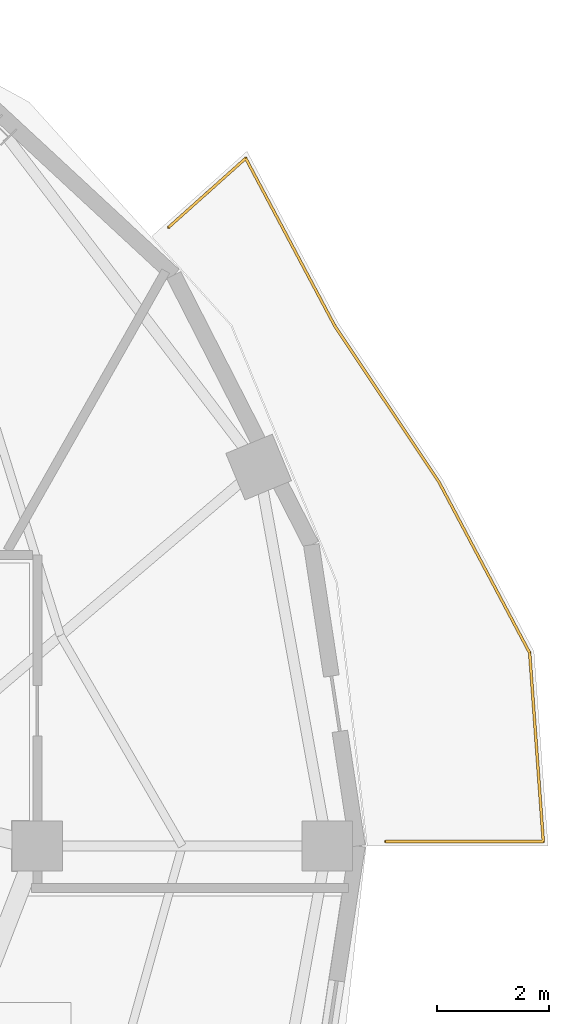
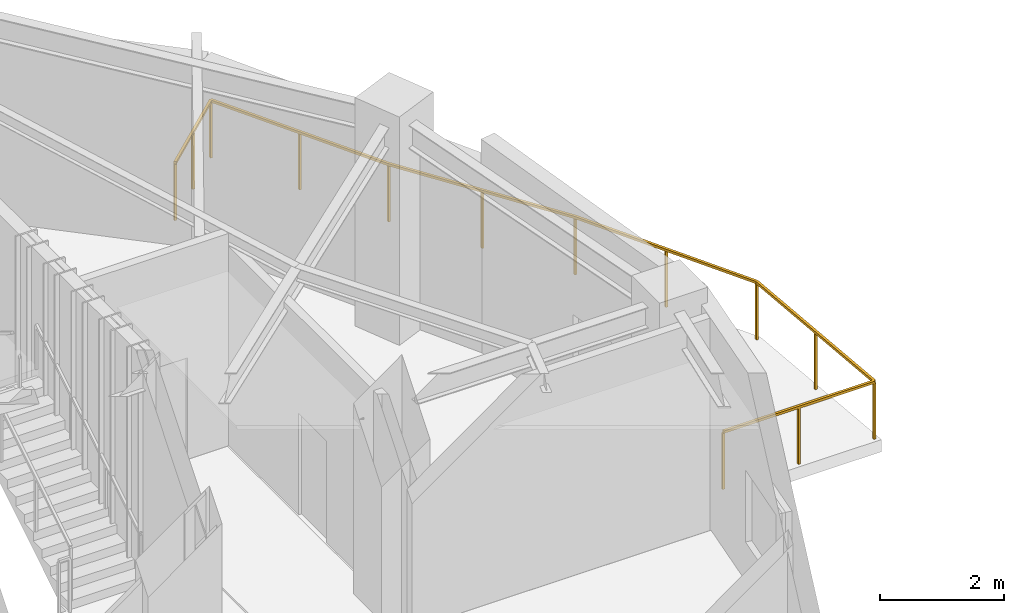
# One storey, part 9 of 9: 1 railing.
"""IFC4 building model written with IfcOpenShell, lengths in metres."""

from ifc_helpers import new_model, si_unit, direction, frame, origin, origin_2d, place, context, subcontext, project, spatial, rectangle, extrude, material, type_object, element, save


model = new_model("IFC4")

# Units and contexts
model_context = context("Model", 3, precision=1e-05, world=origin(), true_north=direction((0.0, 1.0)))
body_context = subcontext(model_context, "Body", "Model", "MODEL_VIEW")
ifc_project = project(units=[si_unit("LENGTHUNIT", "METRE"), si_unit("AREAUNIT", "SQUARE_METRE"), si_unit("VOLUMEUNIT", "CUBIC_METRE"), si_unit("PLANEANGLEUNIT", "RADIAN"), si_unit("MASSUNIT", "GRAM", prefix="KILO")], contexts=[model_context])

# Site, building, storey
site_placement = place(None, origin())
site = spatial("IfcSite", under=ifc_project, at=site_placement, CompositionType="ELEMENT")
building_placement = place(site_placement, origin())
building = spatial("IfcBuilding", under=site, at=building_placement, Name="Haldorwick Loom Tower", CompositionType="ELEMENT")
storey_placement = place(building_placement, frame((0.0, 0.0, 282.0)))
storey = spatial("IfcBuildingStorey", under=building, at=storey_placement, Name="L76", CompositionType="ELEMENT", Elevation=282.0)

# Railing
ifc_material = material(Name="Galvanized Steel CSA G40.21 350W", Category="steel")
railing_type = type_object("IfcRailingType", Name="ARC-RLG-BAL115", PredefinedType="BALUSTRADE", material=ifc_material)
railing_placement = place(storey_placement, frame((55.546875, 37.0595703125, 0.0)))
element("IfcRailing", 1, at=railing_placement, inside=storey, type_object=railing_type, Name="L76 Outdoor Terrace Guardrail SLB-L76-BAL_ENE-1", PredefinedType="BALUSTRADE", context=body_context, shape_type="SweptSolid", body=[
    extrude(rectangle(XDim=0.048095703125, YDim=0.048095703125, at=origin_2d()), frame((0.0, 0.0, 1.1259765625), z_axis=(0.745417389575, 0.666598016288, 0.0), x_axis=(-0.666598016288, 0.745417389575, 0.0)), (0.0, 0.0, 1.0), 1.84912109375),
    extrude(rectangle(XDim=0.048095703125, YDim=0.048095703125, at=origin_2d()), frame((1.37841796875, 1.232666015625, 1.1259765625), z_axis=(0.469197343741, -0.883093343099, 0.0), x_axis=(0.883093343099, 0.469197343741, 0.0)), (0.0, 0.0, 1.0), 3.390625),
    extrude(rectangle(XDim=0.048095703125, YDim=0.048095703125, at=origin_2d()), frame((2.96923828125, -1.761474609375, 1.1259765625), z_axis=(0.518978134242, -0.854787515222, 0.0), x_axis=(0.854787515222, 0.518978134242, 0.0)), (0.0, 0.0, 1.0), 0.008056640625),
    extrude(rectangle(XDim=0.048095703125, YDim=0.048095703125, at=origin_2d()), frame((2.973388671875, -1.768310546875, 1.1259765625), z_axis=(0.555170999854, -0.831736232781, 0.0), x_axis=(0.831736232781, 0.555170999854, 0.0)), (0.0, 0.0, 1.0), 3.35009765625),
    extrude(rectangle(XDim=0.048095703125, YDim=0.048095703125, at=origin_2d()), frame((4.833251953125, -4.5546875, 1.1259765625), z_axis=(0.468890126395, -0.883256502591, 0.0), x_axis=(0.883256502591, 0.468890126395, 0.0)), (0.0, 0.0, 1.0), 3.456787109375),
    extrude(rectangle(XDim=0.048095703125, YDim=0.048095703125, at=origin_2d()), frame((6.4541015625, -7.60791015625, 1.1259765625), z_axis=(0.072150352882, -0.997393767064, 0.0), x_axis=(0.997393767064, 0.072150352882, 0.0)), (0.0, 0.0, 1.0), 3.38037109375),
    extrude(rectangle(XDim=0.048095703125, YDim=0.048095703125, at=origin_2d()), frame((6.697998046875, -10.9794921875, 1.1259765625), z_axis=(-1.0, 0.0, 0.0), x_axis=(0.0, -1.0, 0.0)), (0.0, 0.0, 1.0), 2.82080078125),
    extrude(rectangle(XDim=0.0419921875, YDim=0.0419921875, at=origin_2d()), origin(), (0.0, 0.0, 1.0), 1.101806640625),
    extrude(rectangle(XDim=0.0419921875, YDim=0.0419921875, at=origin_2d()), frame((0.689208984375, 0.6162109375, 0.0)), (0.0, 0.0, 1.0), 1.101806640625),
    extrude(rectangle(XDim=0.0419921875, YDim=0.0419921875, at=origin_2d()), frame((1.37841796875, 1.232666015625, 0.0)), (0.0, 0.0, 1.0), 1.101806640625),
    extrude(rectangle(XDim=0.0419921875, YDim=0.0419921875, at=origin_2d()), frame((2.173828125, -0.264404296875, 0.0)), (0.0, 0.0, 1.0), 1.101806640625),
    extrude(rectangle(XDim=0.0419921875, YDim=0.0419921875, at=origin_2d()), frame((2.96923828125, -1.761474609375, 0.0)), (0.0, 0.0, 1.0), 1.101806640625),
    extrude(rectangle(XDim=0.0419921875, YDim=0.0419921875, at=origin_2d()), frame((3.9033203125, -3.16162109375, 0.0)), (0.0, 0.0, 1.0), 1.101806640625),
    extrude(rectangle(XDim=0.0419921875, YDim=0.0419921875, at=origin_2d()), frame((4.833251953125, -4.5546875, 0.0)), (0.0, 0.0, 1.0), 1.101806640625),
    extrude(rectangle(XDim=0.0419921875, YDim=0.0419921875, at=origin_2d()), frame((5.6435546875, -6.081298828125, 0.0)), (0.0, 0.0, 1.0), 1.101806640625),
    extrude(rectangle(XDim=0.0419921875, YDim=0.0419921875, at=origin_2d()), frame((6.4541015625, -7.60791015625, 0.0)), (0.0, 0.0, 1.0), 1.101806640625),
    extrude(rectangle(XDim=0.0419921875, YDim=0.0419921875, at=origin_2d()), frame((6.576171875, -9.293701171875, 0.0)), (0.0, 0.0, 1.0), 1.101806640625),
    extrude(rectangle(XDim=0.0419921875, YDim=0.0419921875, at=origin_2d()), frame((6.697998046875, -10.9794921875, 0.0)), (0.0, 0.0, 1.0), 1.101806640625),
    extrude(rectangle(XDim=0.0419921875, YDim=0.0419921875, at=origin_2d()), frame((5.28759765625, -10.9794921875, 0.0)), (0.0, 0.0, 1.0), 1.101806640625),
    extrude(rectangle(XDim=0.0419921875, YDim=0.0419921875, at=origin_2d()), frame((3.877197265625, -10.9794921875, 0.0)), (0.0, 0.0, 1.0), 1.101806640625),
])

save(model, "model.ifc")
